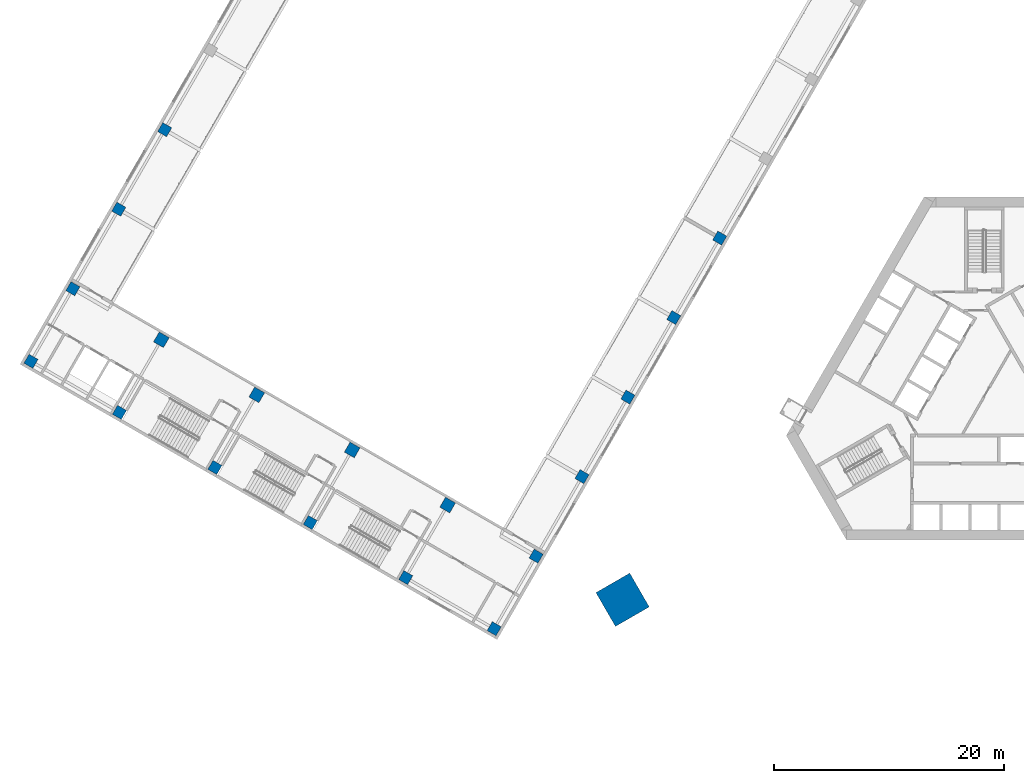
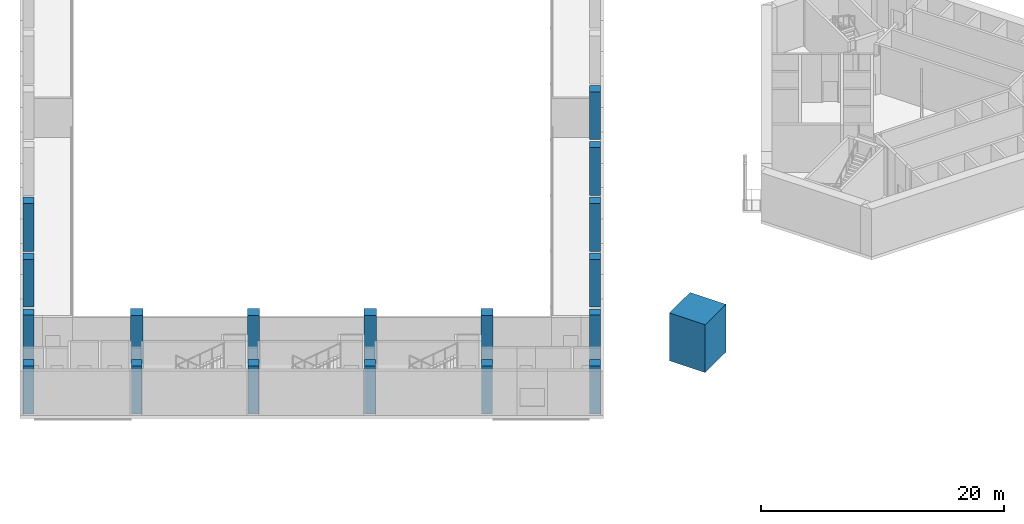
# One storey, part 1 of 28: 19 columns.
"""IFC4 building model written with IfcOpenShell, lengths in metres."""

from ifc_helpers import new_model, si_unit, direction, frame, origin, origin_2d, place, context, subcontext, project, spatial, rectangle, extrude, material, material_profile, profile_set, type_object, element, save


model = new_model("IFC4")

# Units and contexts
model_context = context("Model", 3, precision=1e-05, world=origin(), true_north=direction((0.0, 1.0)))
body_context = subcontext(model_context, "Body", "Model", "MODEL_VIEW")
ifc_project = project(units=[si_unit("LENGTHUNIT", "METRE"), si_unit("AREAUNIT", "SQUARE_METRE"), si_unit("VOLUMEUNIT", "CUBIC_METRE"), si_unit("PLANEANGLEUNIT", "RADIAN"), si_unit("MASSUNIT", "GRAM", prefix="KILO")], contexts=[model_context])

# Site, building, storey
site_placement = place(None, origin())
site = spatial("IfcSite", under=ifc_project, at=site_placement, CompositionType="ELEMENT")
building_placement = place(site_placement, origin())
building = spatial("IfcBuilding", under=site, at=building_placement, Name="Mestral Congress Tower", CompositionType="ELEMENT")
storey_placement = place(building_placement, frame((0.0, 0.0, 11.39990234375)))
storey = spatial("IfcBuildingStorey", under=building, at=storey_placement, Name="L02", CompositionType="ELEMENT", Elevation=11.39990234375)

# Columns
ifc_material_1 = material(Name="Concrete C80/95", Category="concrete")
ifc_material_profile_1 = material_profile(ifc_material_1, rectangle(XDim=3.39990234375, YDim=3.39990234375, at=origin_2d()), Name="RC 3400x3400")
ifc_profile_set_1 = profile_set([ifc_material_profile_1], Name="Concrete C80/95")
column_type_1 = type_object("IfcColumnType", Name="Mega column RC 3400x3400 C80/95", PredefinedType="COLUMN", material=ifc_profile_set_1)
column_placement = place(storey_placement, frame((-31.5224609375, -18.199462890625, 0.0), z_axis=(0.0, 0.0, 1.0), x_axis=(-0.866025403784, -0.5, 0.0)))
element("IfcColumn", 1, at=column_placement, inside=storey, type_object=column_type_1, Name="COL-L02-PY1-SW", PredefinedType="COLUMN", context=body_context, shape_type="SweptSolid", body=[
    extrude(rectangle(XDim=3.39990234375, YDim=3.39990234375, at=origin_2d()), origin(), (0.0, 0.0, 1.0), 4.800048828125),
])
ifc_material_2 = material(Name="Concrete C60/75", Category="concrete")
ifc_material_profile_2 = material_profile(ifc_material_2, rectangle(XDim=1.0, YDim=1.0, at=origin_2d()), Name="RC 1000x1000")
ifc_profile_set_2 = profile_set([ifc_material_profile_2], Name="Concrete C60/75")
column_type_2 = type_object("IfcColumnType", Name="Podium column RC 1000x1000 C60/75", PredefinedType="COLUMN", material=ifc_profile_set_2)
for number, where, z_axis, x_axis, name in (
    (2, (-46.76806640625, -9.94873046875, 0.0), (0.0, 0.0, 1.0), (-0.5, -0.866025403784, 0.0), "COL-L02-PC-W-10B"),
    (3, (-55.08203125, -5.148681640625, 0.0), (0.0, 0.0, 1.0), (-0.5, -0.866025403784, 0.0), "COL-L02-PC-W-10C"),
    (4, (-63.395751953125, -0.348876953125, 0.0), (0.0, 0.0, 1.0), (-0.5, -0.866025403784, 0.0), "COL-L02-PC-W-10D"),
    (5, (-71.709716796875, 4.451171875, 0.0), (0.0, 0.0, 1.0), (-0.5, -0.866025403784, 0.0), "COL-L02-PC-W-10E"),
):
    element("IfcColumn", number, at=place(storey_placement, frame(where, z_axis=z_axis, x_axis=x_axis)), inside=storey, type_object=column_type_2, Name=name, PredefinedType="COLUMN", context=body_context, shape_type="SweptSolid", body=[
        extrude(rectangle(XDim=1.0, YDim=1.0, at=origin_2d()), origin(), (0.0, 0.0, 1.0), 4.800048828125),
    ])
ifc_material_3 = material(Name="Concrete C50/60", Category="concrete")
ifc_material_profile_3 = material_profile(ifc_material_3, rectangle(XDim=0.89990234375, YDim=0.89990234375, at=origin_2d()), Name="RC 900x900")
ifc_profile_set_3 = profile_set([ifc_material_profile_3], Name="Concrete C50/60")
column_type_3 = type_object("IfcColumnType", Name="Podium column RC 900x900 C50/60", PredefinedType="COLUMN", material=ifc_profile_set_3)
for number, where, z_axis, x_axis, name in (
    (6, (-23.060546875, 13.31396484375, 0.0), (0.0, 0.0, 1.0), (-0.5, -0.866025403784, 0.0), "COL-L02-PC-W-06A"),
    (7, (-27.060546875, 6.3857421875, 0.0), (0.0, 0.0, 1.0), (-0.5, -0.866025403784, 0.0), "COL-L02-PC-W-07A"),
    (8, (-31.060546875, -0.54248046875, 0.0), (0.0, 0.0, 1.0), (-0.5, -0.866025403784, 0.0), "COL-L02-PC-W-08A"),
    (9, (-71.417236328125, 22.757568359375, 0.0), (0.0, 0.0, 1.0), (-0.5, -0.866025403784, 0.0), "COL-L02-PC-W-08F"),
    (10, (-35.060546875, -7.470703125, 0.0), (0.0, 0.0, 1.0), (-0.5, -0.866025403784, 0.0), "COL-L02-PC-W-09A"),
    (11, (-75.417236328125, 15.829345703125, 0.0), (0.0, 0.0, 1.0), (-0.5, -0.866025403784, 0.0), "COL-L02-PC-W-09F"),
    (12, (-39.060546875, -14.398681640625, 0.0), (0.0, 0.0, 1.0), (-0.5, -0.866025403784, 0.0), "COL-L02-PC-W-10A"),
    (13, (-79.417236328125, 8.901123046875, 0.0), (0.0, 0.0, 1.0), (-0.5, -0.866025403784, 0.0), "COL-L02-PC-W-10F"),
    (14, (-42.71044921875, -20.720703125, 0.0), (0.0, 0.0, 1.0), (-0.5, -0.866025403784, 0.0), "COL-L02-PC-W-11A"),
    (15, (-50.418212890625, -16.270751953125, 0.0), (0.0, 0.0, 1.0), (-0.5, -0.866025403784, 0.0), "COL-L02-PC-W-11B"),
    (16, (-58.73193359375, -11.470703125, 0.0), (0.0, 0.0, 1.0), (-0.5, -0.866025403784, 0.0), "COL-L02-PC-W-11C"),
    (17, (-67.0458984375, -6.6708984375, 0.0), (0.0, 0.0, 1.0), (-0.5, -0.866025403784, 0.0), "COL-L02-PC-W-11D"),
    (18, (-75.359619140625, -1.870849609375, 0.0), (0.0, 0.0, 1.0), (-0.5, -0.866025403784, 0.0), "COL-L02-PC-W-11E"),
    (19, (-83.0673828125, 2.5791015625, 0.0), (0.0, 0.0, 1.0), (-0.5, -0.866025403784, 0.0), "COL-L02-PC-W-11F"),
):
    element("IfcColumn", number, at=place(storey_placement, frame(where, z_axis=z_axis, x_axis=x_axis)), inside=storey, type_object=column_type_3, Name=name, PredefinedType="COLUMN", context=body_context, shape_type="SweptSolid", body=[
        extrude(rectangle(XDim=0.89990234375, YDim=0.89990234375, at=origin_2d()), origin(), (0.0, 0.0, 1.0), 4.800048828125),
    ])

save(model, "model.ifc")
